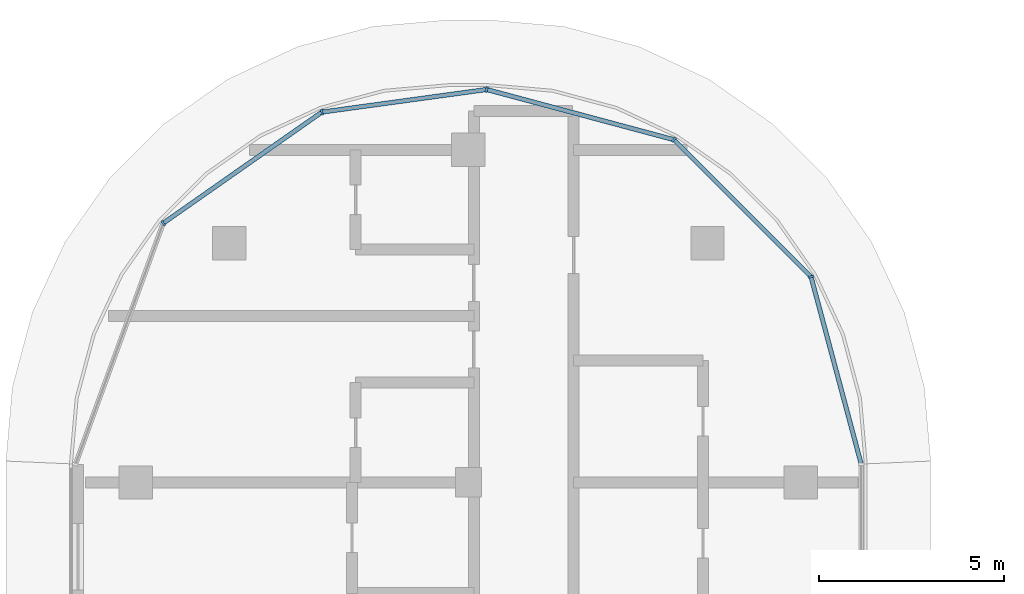
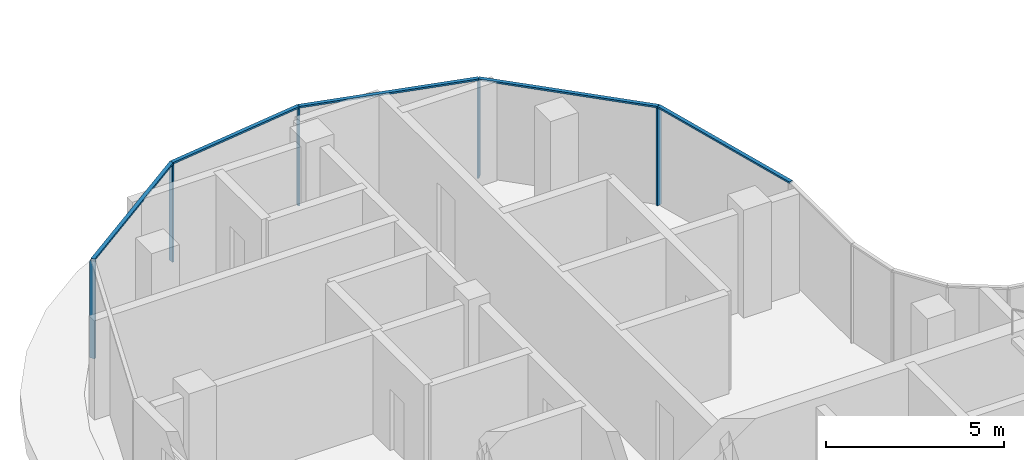
# One storey, part 6 of 20: 10 members, 1 element without a shape of its own.
"""IFC4 building model written with IfcOpenShell, lengths in metres."""

from ifc_helpers import new_model, si_unit, direction, frame, origin, origin_2d, place, context, subcontext, project, spatial, rectangle, extrude, material, material_profile, profile_set, type_object, element, aggregate, save


model = new_model("IFC4")

# Units and contexts
model_context = context("Model", 3, precision=1e-05, world=origin(), true_north=direction((0.0, 1.0)))
body_context = subcontext(model_context, "Body", "Model", "MODEL_VIEW")
ifc_project = project(units=[si_unit("LENGTHUNIT", "METRE"), si_unit("AREAUNIT", "SQUARE_METRE"), si_unit("VOLUMEUNIT", "CUBIC_METRE"), si_unit("PLANEANGLEUNIT", "RADIAN"), si_unit("MASSUNIT", "GRAM", prefix="KILO")], contexts=[model_context])

# Site, building, storey
site_placement = place(None, origin())
site = spatial("IfcSite", under=ifc_project, at=site_placement, CompositionType="ELEMENT")
building_placement = place(site_placement, origin())
building = spatial("IfcBuilding", under=site, at=building_placement, Name="Ogive Portal Towers", CompositionType="ELEMENT")
storey_placement = place(building_placement, frame((0.0, 0.0, 195.800048828125)))
storey = spatial("IfcBuildingStorey", under=building, at=storey_placement, Name="L48", CompositionType="ELEMENT", Elevation=195.800048828125)

# Curtain wall, members
ifc_material_1 = material(Name="Glass, clear low-iron insulated glazing", Category="glass")
curtain_wall_type = type_object("IfcCurtainWallType", Name="CW FRONT RIBBON 4500", PredefinedType="NOTDEFINED", material=ifc_material_1)
curtain_wall_placement = place(storey_placement, origin())
curtain_wall = element("IfcCurtainWall", 1, at=curtain_wall_placement, inside=storey, type_object=curtain_wall_type, Name="A:L48:f19:cwa", PredefinedType="NOTDEFINED")
ifc_material_2 = material(Name="Aluminium 6063 anodised", Category="aluminium")
ifc_material_profile_1 = material_profile(ifc_material_2, rectangle(XDim=0.159912109375, YDim=0.06005859375, at=origin_2d()), Name="AL 60x160")
ifc_profile_set_1 = profile_set([ifc_material_profile_1], Name="Aluminium 6063 anodised")
member_type_1 = type_object("IfcMemberType", Name="CW MULLION 60x160", PredefinedType="MULLION", material=ifc_profile_set_1)
member_1_placement = place(storey_placement, frame((49.774658203125, 54.066162109375, 0.0), z_axis=(0.0, 0.0, 1.0), x_axis=(-0.965925826289, -0.258819045103, 0.0)))
member_1 = element("IfcMember", 2, at=member_1_placement, type_object=member_type_1, Name="mullion", PredefinedType="MULLION", context=body_context, shape_type="SweptSolid", body=[
    extrude(rectangle(XDim=0.159912109375, YDim=0.06005859375, at=origin_2d()), origin(), (0.0, 0.0, 1.0), 3.33984375),
])
member_2_placement = place(storey_placement, frame((46.066162109375, 57.774658203125, 0.0), z_axis=(0.0, 0.0, 1.0), x_axis=(-0.707106781187, -0.707106781187, 0.0)))
member_2 = element("IfcMember", 3, at=member_2_placement, type_object=member_type_1, Name="mullion", PredefinedType="MULLION", context=body_context, shape_type="SweptSolid", body=[
    extrude(rectangle(XDim=0.159912109375, YDim=0.06005859375, at=origin_2d()), origin(), (0.0, 0.0, 1.0), 3.33984375),
])
member_3_placement = place(storey_placement, frame((40.994873046875, 59.133544921875, 0.0), z_axis=(0.0, 0.0, 1.0), x_axis=(-0.258819045103, -0.965925826289, 0.0)))
member_3 = element("IfcMember", 4, at=member_3_placement, type_object=member_type_1, Name="mullion", PredefinedType="MULLION", context=body_context, shape_type="SweptSolid", body=[
    extrude(rectangle(XDim=0.159912109375, YDim=0.06005859375, at=origin_2d()), origin(), (0.0, 0.0, 1.0), 3.33984375),
])
member_4_placement = place(storey_placement, frame((36.536376953125, 58.522216796875, 0.0), z_axis=(0.0, 0.0, 1.0), x_axis=(0.135818290186, -0.990733764465, 0.0)))
member_4 = element("IfcMember", 5, at=member_4_placement, type_object=member_type_1, Name="mullion", PredefinedType="MULLION", context=body_context, shape_type="SweptSolid", body=[
    extrude(rectangle(XDim=0.159912109375, YDim=0.06005859375, at=origin_2d()), origin(), (0.0, 0.0, 1.0), 3.33984375),
])
member_5_placement = place(storey_placement, frame((32.241455078125, 55.514892578125, 0.0), z_axis=(0.0, 0.0, 1.0), x_axis=(0.573576436351, -0.819152044289, 0.0)))
member_5 = element("IfcMember", 6, at=member_5_placement, type_object=member_type_1, Name="mullion", PredefinedType="MULLION", context=body_context, shape_type="SweptSolid", body=[
    extrude(rectangle(XDim=0.159912109375, YDim=0.06005859375, at=origin_2d()), origin(), (0.0, 0.0, 1.0), 3.33984375),
])
ifc_material_profile_2 = material_profile(ifc_material_2, rectangle(XDim=0.1201171875, YDim=0.06005859375, at=origin_2d()), Name="AL 120x60")
ifc_profile_set_2 = profile_set([ifc_material_profile_2], Name="Aluminium 6063 anodised")
member_type_2 = type_object("IfcMemberType", Name="CW TRANSOM 60x120", PredefinedType="USERDEFINED", material=ifc_profile_set_2)
member_6_placement = place(storey_placement, frame((51.135009765625, 48.989501953125, 3.369873046875), z_axis=(-0.258830508272, 0.965922754669, 0.0), x_axis=(-0.965922754669, -0.258830508272, 0.0)))
member_6 = element("IfcMember", 7, at=member_6_placement, type_object=member_type_2, Name="transom", ObjectType="TRANSOM", PredefinedType="USERDEFINED", context=body_context, shape_type="SweptSolid", body=[
    extrude(rectangle(XDim=0.1201171875, YDim=0.06005859375, at=origin_2d()), origin(), (0.0, 0.0, 1.0), 5.255859375),
])
member_7_placement = place(storey_placement, frame((49.774658203125, 54.066162109375, 3.369873046875), z_axis=(-0.707106781187, 0.707106781187, 0.0), x_axis=(-0.707106781187, -0.707106781187, 0.0)))
member_7 = element("IfcMember", 8, at=member_7_placement, type_object=member_type_2, Name="transom", ObjectType="TRANSOM", PredefinedType="USERDEFINED", context=body_context, shape_type="SweptSolid", body=[
    extrude(rectangle(XDim=0.1201171875, YDim=0.06005859375, at=origin_2d()), origin(), (0.0, 0.0, 1.0), 5.24462890625),
])
member_8_placement = place(storey_placement, frame((46.066162109375, 57.774658203125, 3.369873046875), z_axis=(-0.965923973482, 0.258825959773, 0.0), x_axis=(-0.258825959773, -0.965923973482, 0.0)))
member_8 = element("IfcMember", 9, at=member_8_placement, type_object=member_type_2, Name="transom", ObjectType="TRANSOM", PredefinedType="USERDEFINED", context=body_context, shape_type="SweptSolid", body=[
    extrude(rectangle(XDim=0.1201171875, YDim=0.06005859375, at=origin_2d()), origin(), (0.0, 0.0, 1.0), 5.250244140625),
])
member_9_placement = place(storey_placement, frame((40.994873046875, 59.133544921875, 3.369873046875), z_axis=(-0.990730199866, -0.135844289808, 0.0), x_axis=(0.135844289808, -0.990730199866, 0.0)))
member_9 = element("IfcMember", 10, at=member_9_placement, type_object=member_type_2, Name="transom", ObjectType="TRANSOM", PredefinedType="USERDEFINED", context=body_context, shape_type="SweptSolid", body=[
    extrude(rectangle(XDim=0.1201171875, YDim=0.06005859375, at=origin_2d()), origin(), (0.0, 0.0, 1.0), 4.500244140625),
])
member_10_placement = place(storey_placement, frame((36.536376953125, 58.522216796875, 3.369873046875), z_axis=(-0.819153160327, -0.57357484248, 0.0), x_axis=(0.57357484248, -0.819153160327, 0.0)))
member_10 = element("IfcMember", 11, at=member_10_placement, type_object=member_type_2, Name="transom", ObjectType="TRANSOM", PredefinedType="USERDEFINED", context=body_context, shape_type="SweptSolid", body=[
    extrude(rectangle(XDim=0.1201171875, YDim=0.06005859375, at=origin_2d()), origin(), (0.0, 0.0, 1.0), 5.2431640625),
])
aggregate(curtain_wall, [member_6, member_7, member_8, member_9, member_10, member_1, member_2, member_3, member_4, member_5])

save(model, "model.ifc")
